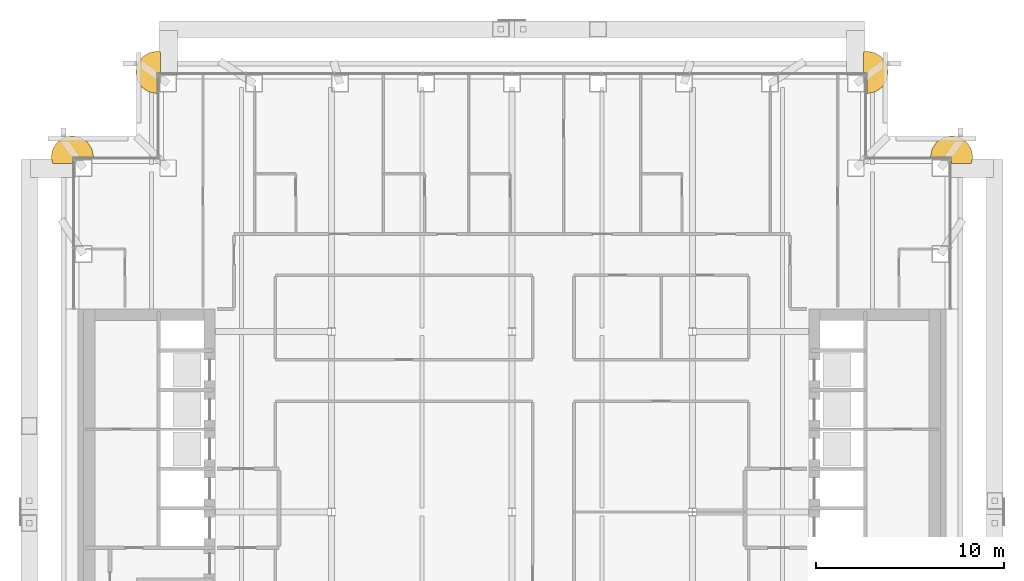
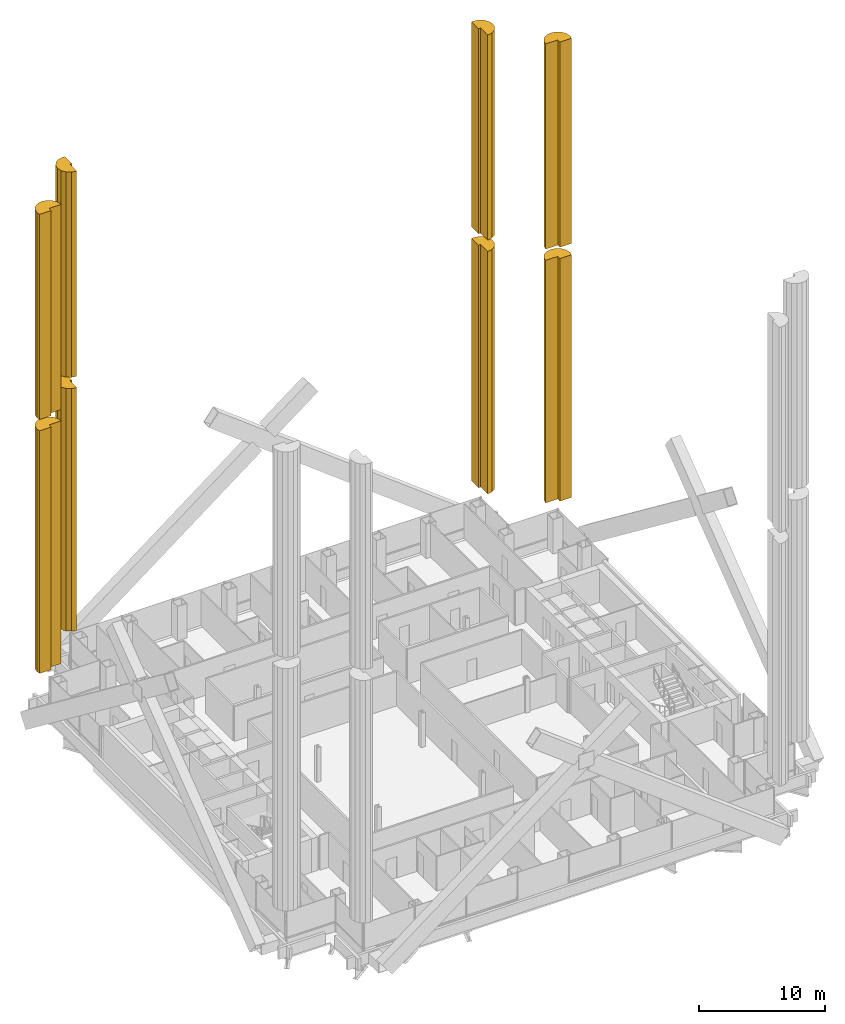
# One storey, part 21 of 22: 8 coverings.
"""IFC4 building model written with IfcOpenShell, lengths in metres."""

from ifc_helpers import new_model, si_unit, direction, frame, origin, place, context, subcontext, project, spatial, polyline, outline, extrude, material, type_object, element, save


model = new_model("IFC4")

# Units and contexts
model_context = context("Model", 3, precision=1e-05, world=origin(), true_north=direction((0.0, 1.0)))
body_context = subcontext(model_context, "Body", "Model", "MODEL_VIEW")
ifc_project = project(units=[si_unit("LENGTHUNIT", "METRE"), si_unit("AREAUNIT", "SQUARE_METRE"), si_unit("VOLUMEUNIT", "CUBIC_METRE"), si_unit("PLANEANGLEUNIT", "RADIAN"), si_unit("MASSUNIT", "GRAM", prefix="KILO")], contexts=[model_context])

# Site, building, storey
site_placement = place(None, origin())
site = spatial("IfcSite", under=ifc_project, at=site_placement, CompositionType="ELEMENT")
building_placement = place(site_placement, origin())
building = spatial("IfcBuilding", under=site, at=building_placement, Name="Cobrizo Arcos Hotel Tower", CompositionType="ELEMENT")
storey_placement = place(building_placement, frame((0.0, 0.0, 89.0)))
storey = spatial("IfcBuildingStorey", under=building, at=storey_placement, Name="L21", CompositionType="ELEMENT", Elevation=89.0)

# Coverings
ifc_material = material(Name="Aluminium 6063-T6 anodised pale", Category="aluminium")
covering_type = type_object("IfcCoveringType", Name="RB-2 notch bullnose roll R1125", PredefinedType="CLADDING", material=ifc_material)
covering_1_placement = place(storey_placement, frame((0.0, 0.0, 4.362548828125)))
element("IfcCovering", 1, at=covering_1_placement, inside=storey, type_object=covering_type, Name="Notch bullnose roll 9", PredefinedType="CLADDING", context=body_context, shape_type="SweptSolid", body=[
    extrude(outline(polyline([(19.695556640625, 22.6044921875), (19.939453125, 22.969482421875), (20.02490234375, 23.39990234375), (19.939453125, 23.83056640625), (19.695556640625, 24.195556640625), (19.33056640625, 24.439453125), (18.89990234375, 24.52490234375), (18.699951171875, 24.485107421875), (18.699951171875, 23.39990234375), (18.89990234375, 23.39990234375), (18.89990234375, 22.27490234375), (19.33056640625, 22.360595703125), (19.695556640625, 22.6044921875)])), origin(), (0.0, 0.0, 1.0), 23.58740234375),
])
covering_2_placement = place(storey_placement, frame((0.0, 0.0, 29.050048828125)))
element("IfcCovering", 2, at=covering_2_placement, inside=storey, type_object=covering_type, Name="Notch bullnose roll 9 part 2", PredefinedType="CLADDING", context=body_context, shape_type="SweptSolid", body=[
    extrude(outline(polyline([(19.695556640625, 22.6044921875), (19.939453125, 22.969482421875), (20.02490234375, 23.39990234375), (19.939453125, 23.83056640625), (19.695556640625, 24.195556640625), (19.33056640625, 24.439453125), (18.89990234375, 24.52490234375), (18.699951171875, 24.485107421875), (18.699951171875, 23.39990234375), (18.89990234375, 23.39990234375), (18.89990234375, 22.27490234375), (19.33056640625, 22.360595703125), (19.695556640625, 22.6044921875)])), origin(), (0.0, 0.0, 1.0), 19.949951171875),
])
covering_3_placement = place(storey_placement, frame((0.0, 0.0, 4.362548828125)))
element("IfcCovering", 3, at=covering_3_placement, inside=storey, type_object=covering_type, Name="Notch bullnose roll 10", PredefinedType="CLADDING", context=body_context, shape_type="SweptSolid", body=[
    extrude(outline(polyline([(-19.695556640625, 22.6044921875), (-19.33056640625, 22.360595703125), (-18.89990234375, 22.27490234375), (-18.89990234375, 23.39990234375), (-18.699951171875, 23.39990234375), (-18.699951171875, 24.485107421875), (-18.89990234375, 24.52490234375), (-19.33056640625, 24.439453125), (-19.695556640625, 24.195556640625), (-19.939453125, 23.83056640625), (-20.02490234375, 23.39990234375), (-19.939453125, 22.969482421875), (-19.695556640625, 22.6044921875)])), origin(), (0.0, 0.0, 1.0), 23.58740234375),
])
covering_4_placement = place(storey_placement, frame((0.0, 0.0, 29.050048828125)))
element("IfcCovering", 4, at=covering_4_placement, inside=storey, type_object=covering_type, Name="Notch bullnose roll 10 part 2", PredefinedType="CLADDING", context=body_context, shape_type="SweptSolid", body=[
    extrude(outline(polyline([(-19.695556640625, 22.6044921875), (-19.33056640625, 22.360595703125), (-18.89990234375, 22.27490234375), (-18.89990234375, 23.39990234375), (-18.699951171875, 23.39990234375), (-18.699951171875, 24.485107421875), (-18.89990234375, 24.52490234375), (-19.33056640625, 24.439453125), (-19.695556640625, 24.195556640625), (-19.939453125, 23.83056640625), (-20.02490234375, 23.39990234375), (-19.939453125, 22.969482421875), (-19.695556640625, 22.6044921875)])), origin(), (0.0, 0.0, 1.0), 19.949951171875),
])
covering_5_placement = place(storey_placement, frame((0.0, 0.0, 4.362548828125)))
element("IfcCovering", 5, at=covering_5_placement, inside=storey, type_object=covering_type, Name="Notch bullnose roll 12", PredefinedType="CLADDING", context=body_context, shape_type="SweptSolid", body=[
    extrude(outline(polyline([(22.6044921875, 19.695556640625), (22.360595703125, 19.33056640625), (22.27490234375, 18.89990234375), (23.39990234375, 18.89990234375), (23.39990234375, 18.550048828125), (24.455322265625, 18.550048828125), (24.52490234375, 18.89990234375), (24.439453125, 19.33056640625), (24.195556640625, 19.695556640625), (23.83056640625, 19.939453125), (23.39990234375, 20.02490234375), (22.969482421875, 19.939453125), (22.6044921875, 19.695556640625)])), origin(), (0.0, 0.0, 1.0), 23.58740234375),
])
covering_6_placement = place(storey_placement, frame((0.0, 0.0, 29.050048828125)))
element("IfcCovering", 6, at=covering_6_placement, inside=storey, type_object=covering_type, Name="Notch bullnose roll 12 part 2", PredefinedType="CLADDING", context=body_context, shape_type="SweptSolid", body=[
    extrude(outline(polyline([(22.6044921875, 19.695556640625), (22.360595703125, 19.33056640625), (22.27490234375, 18.89990234375), (23.39990234375, 18.89990234375), (23.39990234375, 18.550048828125), (24.455322265625, 18.550048828125), (24.52490234375, 18.89990234375), (24.439453125, 19.33056640625), (24.195556640625, 19.695556640625), (23.83056640625, 19.939453125), (23.39990234375, 20.02490234375), (22.969482421875, 19.939453125), (22.6044921875, 19.695556640625)])), origin(), (0.0, 0.0, 1.0), 19.949951171875),
])
covering_7_placement = place(storey_placement, frame((0.0, 0.0, 4.362548828125)))
element("IfcCovering", 7, at=covering_7_placement, inside=storey, type_object=covering_type, Name="Notch bullnose roll 15", PredefinedType="CLADDING", context=body_context, shape_type="SweptSolid", body=[
    extrude(outline(polyline([(-22.6044921875, 19.695556640625), (-22.969482421875, 19.939453125), (-23.39990234375, 20.02490234375), (-23.83056640625, 19.939453125), (-24.195556640625, 19.695556640625), (-24.439453125, 19.33056640625), (-24.52490234375, 18.89990234375), (-24.455322265625, 18.550048828125), (-23.39990234375, 18.550048828125), (-23.39990234375, 18.89990234375), (-22.27490234375, 18.89990234375), (-22.360595703125, 19.33056640625), (-22.6044921875, 19.695556640625)])), origin(), (0.0, 0.0, 1.0), 23.58740234375),
])
covering_8_placement = place(storey_placement, frame((0.0, 0.0, 29.050048828125)))
element("IfcCovering", 8, at=covering_8_placement, inside=storey, type_object=covering_type, Name="Notch bullnose roll 15 part 2", PredefinedType="CLADDING", context=body_context, shape_type="SweptSolid", body=[
    extrude(outline(polyline([(-22.6044921875, 19.695556640625), (-22.969482421875, 19.939453125), (-23.39990234375, 20.02490234375), (-23.83056640625, 19.939453125), (-24.195556640625, 19.695556640625), (-24.439453125, 19.33056640625), (-24.52490234375, 18.89990234375), (-24.455322265625, 18.550048828125), (-23.39990234375, 18.550048828125), (-23.39990234375, 18.89990234375), (-22.27490234375, 18.89990234375), (-22.360595703125, 19.33056640625), (-22.6044921875, 19.695556640625)])), origin(), (0.0, 0.0, 1.0), 19.949951171875),
])

save(model, "model.ifc")
